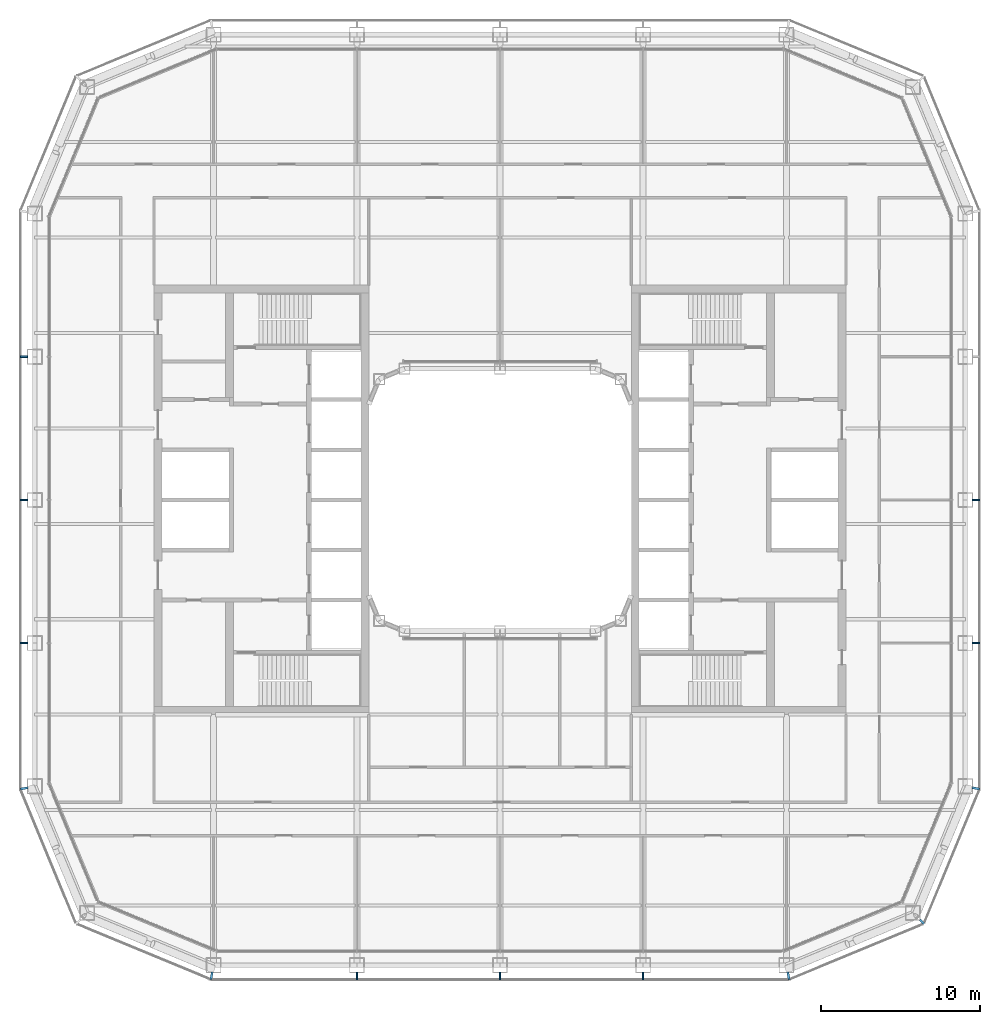
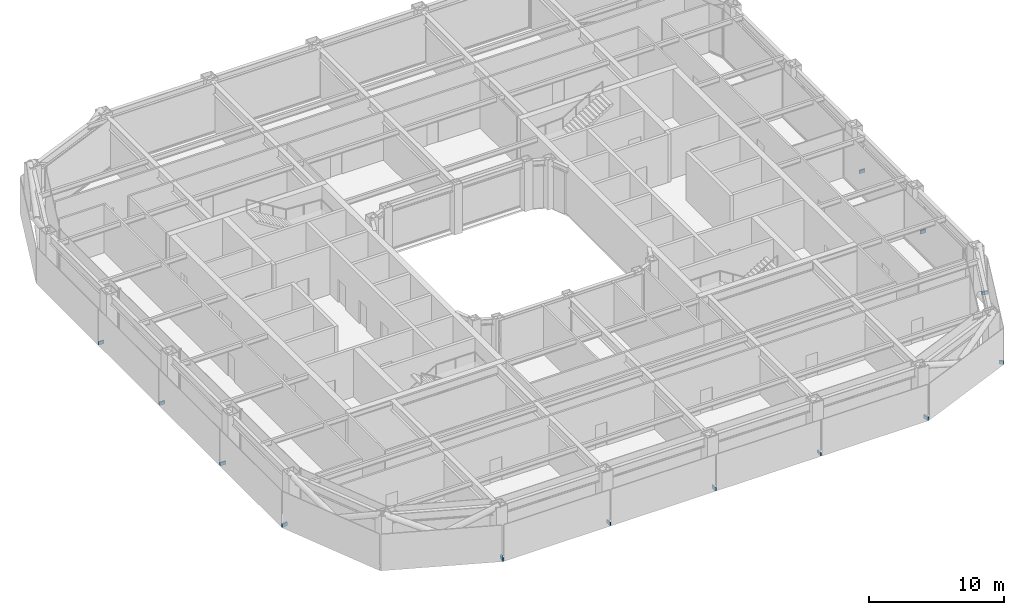
# One storey, part 15 of 21: 13 discrete accessories.
"""IFC4 building model written with IfcOpenShell, lengths in metres."""

from ifc_helpers import new_model, si_unit, direction, frame, origin, origin_2d, place, context, subcontext, project, spatial, rectangle, extrude, material, type_object, element, save


model = new_model("IFC4")

# Units and contexts
model_context = context("Model", 3, precision=1e-05, world=origin(), true_north=direction((0.0, 1.0)))
body_context = subcontext(model_context, "Body", "Model", "MODEL_VIEW")
ifc_project = project(units=[si_unit("LENGTHUNIT", "METRE"), si_unit("AREAUNIT", "SQUARE_METRE"), si_unit("VOLUMEUNIT", "CUBIC_METRE"), si_unit("PLANEANGLEUNIT", "RADIAN"), si_unit("MASSUNIT", "GRAM", prefix="KILO")], contexts=[model_context])

# Site, building, storey
site_placement = place(None, origin())
site = spatial("IfcSite", under=ifc_project, at=site_placement, CompositionType="ELEMENT")
building_placement = place(site_placement, origin())
building = spatial("IfcBuilding", under=site, at=building_placement, Name="Siwar Civic Tower", CompositionType="ELEMENT")
storey_placement = place(building_placement, frame((0.0, 0.0, 140.699951171875)))
storey = spatial("IfcBuildingStorey", under=building, at=storey_placement, Name="L30", CompositionType="ELEMENT", Elevation=140.699951171875)

# Discrete accessories
ifc_material = material(Name="Stainless steel 316", Category="steel")
discrete_accessory_type = type_object("IfcDiscreteAccessoryType", Name="ENV-BRACKET", PredefinedType="BRACKET", material=ifc_material)
for number, where, z_axis, x_axis, name in (
    (1, (29.9150390625, -9.0, -0.14990234375), (0.0, 0.0, 1.0), (1.0, 0.0, 0.0), "Bracket outer skin joint E-01"),
    (2, (29.9150390625, 0.0, -0.14990234375), (0.0, 0.0, 1.0), (1.0, 0.0, 0.0), "Bracket outer skin joint E-02"),
    (3, (-9.0, -29.9150390625, -0.14990234375), (0.0, 0.0, 1.0), (0.0, -1.0, 0.0), "Bracket outer skin joint S-01"),
    (4, (0.0, -29.9150390625, -0.14990234375), (0.0, 0.0, 1.0), (0.0, -1.0, 0.0), "Bracket outer skin joint S-02"),
    (5, (9.0, -29.9150390625, -0.14990234375), (0.0, 0.0, 1.0), (0.0, -1.0, 0.0), "Bracket outer skin joint S-03"),
):
    element("IfcDiscreteAccessory", number, at=place(storey_placement, frame(where, z_axis=z_axis, x_axis=x_axis)), inside=storey, type_object=discrete_accessory_type, Name=name, PredefinedType="BRACKET", context=body_context, shape_type="SweptSolid", body=[
        extrude(rectangle(XDim=0.469970703125, YDim=0.10009765625, at=origin_2d()), origin(), (0.0, 0.0, 1.0), 0.300048828125),
    ])
for number, where, z_axis, x_axis, name in (
    (6, (-18.13232421875, -29.915283203125, -0.14990234375), (0.0, 0.0, 1.0), (-0.195090322016, -0.980785280403, 0.0), "Bracket outer skin joint V00"),
    (7, (18.13232421875, -29.915283203125, -0.14990234375), (0.0, 0.0, 1.0), (0.195090322016, -0.980785280403, 0.0), "Bracket outer skin joint V01"),
):
    element("IfcDiscreteAccessory", number, at=place(storey_placement, frame(where, z_axis=z_axis, x_axis=x_axis)), inside=storey, type_object=discrete_accessory_type, Name=name, PredefinedType="BRACKET", context=body_context, shape_type="SweptSolid", body=[
        extrude(rectangle(XDim=0.478759765625, YDim=0.13720703125, at=origin_2d()), origin(), (0.0, 0.0, 1.0), 0.300048828125),
    ])
discrete_accessory_placement = place(storey_placement, frame((26.517333984375, -26.517333984375, -0.14990234375), z_axis=(0.0, 0.0, 1.0), x_axis=(0.707106781187, -0.707106781187, 0.0)))
element("IfcDiscreteAccessory", 8, at=discrete_accessory_placement, inside=storey, type_object=discrete_accessory_type, Name="Bracket outer skin joint V02", PredefinedType="BRACKET", context=body_context, shape_type="SweptSolid", body=[
    extrude(rectangle(XDim=0.357666015625, YDim=0.12939453125, at=origin_2d()), origin(), (0.0, 0.0, 1.0), 0.300048828125),
])
for number, where, z_axis, x_axis, name in (
    (9, (29.915283203125, -18.13232421875, -0.14990234375), (0.0, 0.0, 1.0), (0.980785280403, -0.195090322016, 0.0), "Bracket outer skin joint V03"),
    (10, (-29.915283203125, -18.13232421875, -0.14990234375), (0.0, 0.0, 1.0), (-0.980785280403, -0.195090322016, 0.0), "Bracket outer skin joint V10"),
):
    element("IfcDiscreteAccessory", number, at=place(storey_placement, frame(where, z_axis=z_axis, x_axis=x_axis)), inside=storey, type_object=discrete_accessory_type, Name=name, PredefinedType="BRACKET", context=body_context, shape_type="SweptSolid", body=[
        extrude(rectangle(XDim=0.478759765625, YDim=0.13720703125, at=origin_2d()), origin(), (0.0, 0.0, 1.0), 0.300048828125),
    ])
for number, where, z_axis, x_axis, name in (
    (11, (-29.9150390625, 9.0, -0.14990234375), (0.0, 0.0, 1.0), (-1.0, 0.0, 0.0), "Bracket outer skin joint W-01"),
    (12, (-29.9150390625, 0.0, -0.14990234375), (0.0, 0.0, 1.0), (-1.0, 0.0, 0.0), "Bracket outer skin joint W-02"),
    (13, (-29.9150390625, -9.0, -0.14990234375), (0.0, 0.0, 1.0), (-1.0, 0.0, 0.0), "Bracket outer skin joint W-03"),
):
    element("IfcDiscreteAccessory", number, at=place(storey_placement, frame(where, z_axis=z_axis, x_axis=x_axis)), inside=storey, type_object=discrete_accessory_type, Name=name, PredefinedType="BRACKET", context=body_context, shape_type="SweptSolid", body=[
        extrude(rectangle(XDim=0.469970703125, YDim=0.10009765625, at=origin_2d()), origin(), (0.0, 0.0, 1.0), 0.300048828125),
    ])

save(model, "model.ifc")
